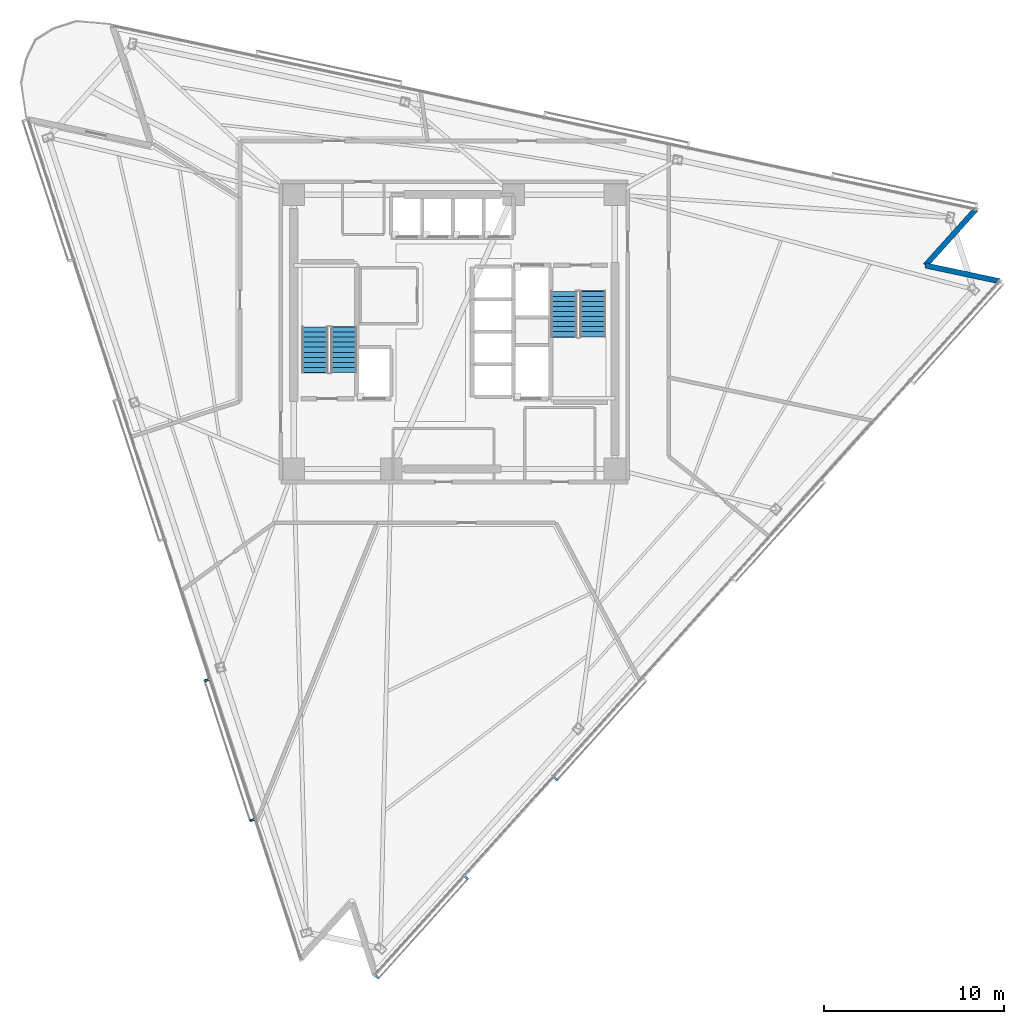
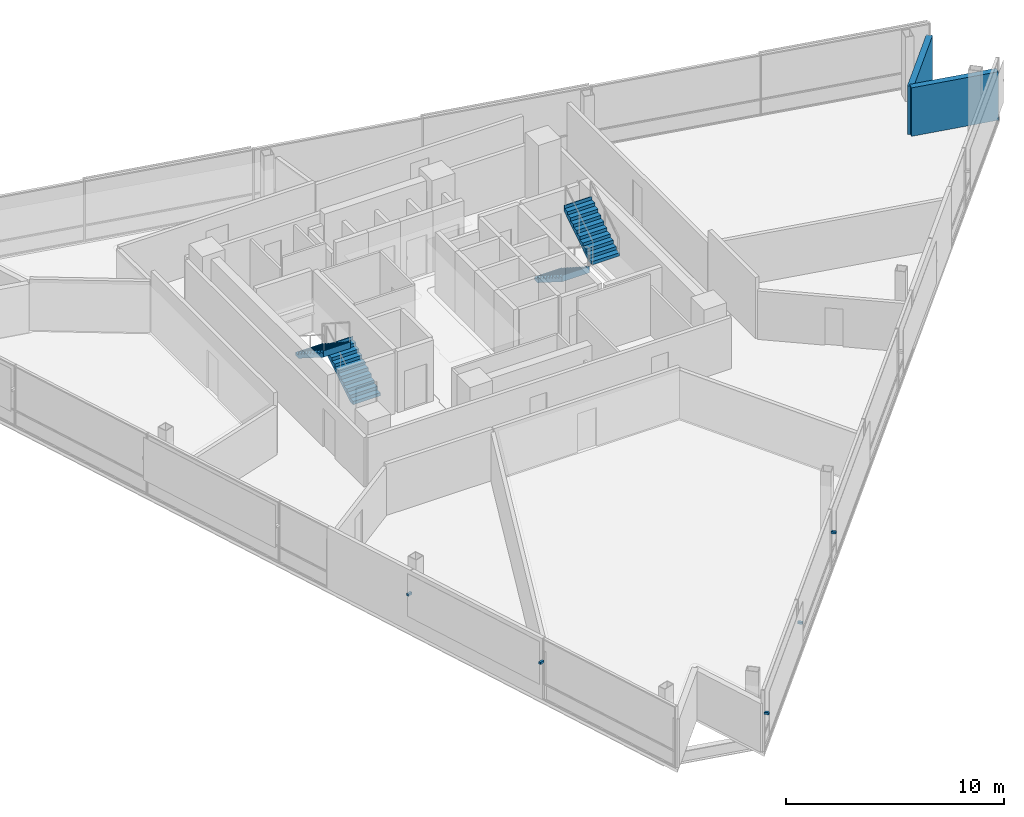
# One storey, part 12 of 17: 5 discrete accessories, 4 stair flights, 2 walls, 2 elements without a shape of their own.
"""IFC4 building model written with IfcOpenShell, lengths in metres."""

from ifc_helpers import new_model, si_unit, direction, frame, frame_2d, origin, origin_2d, place, context, subcontext, project, spatial, polyline, rectangle, outline, extrude, material, layer, layer_set, type_object, element, aggregate, save


model = new_model("IFC4")

# Units and contexts
model_context = context("Model", 3, precision=1e-05, world=origin(), true_north=direction((0.0, 1.0)))
body_context = subcontext(model_context, "Body", "Model", "MODEL_VIEW")
ifc_project = project(units=[si_unit("LENGTHUNIT", "METRE"), si_unit("AREAUNIT", "SQUARE_METRE"), si_unit("VOLUMEUNIT", "CUBIC_METRE"), si_unit("PLANEANGLEUNIT", "RADIAN"), si_unit("MASSUNIT", "GRAM", prefix="KILO")], contexts=[model_context])

# Site, building, storey
site_placement = place(None, origin())
site = spatial("IfcSite", under=ifc_project, at=site_placement, CompositionType="ELEMENT")
building_placement = place(site_placement, origin())
building = spatial("IfcBuilding", under=site, at=building_placement, Name="Tharavind Bronze Gate", CompositionType="ELEMENT")
storey_placement = place(building_placement, frame((0.0, 0.0, 200.449951171875)))
storey = spatial("IfcBuildingStorey", under=building, at=storey_placement, Name="L51", CompositionType="ELEMENT", Elevation=200.449951171875)

# Walls
ifc_material_1 = material(Name="Concrete C40/50", Category="concrete")
ifc_layer = layer(ifc_material_1, 0.300048828125)
ifc_layer_set = layer_set([ifc_layer], Name="Concrete C40/50")
wall_type = type_object("IfcWallType", Name="EXTERIOR SPANDREL WALL 300", PredefinedType="STANDARD", material=ifc_layer_set)
for number, where, z_axis, x_axis, name in (
    (1, (30.199462890625, 2.810546875, 0.0), (0.0, 0.0, 1.0), (-0.978144033538, 0.207928472445, 0.0), "L51 notch cheek wall 3A"),
    (2, (26.102783203125, 3.681396484375, 0.0), (0.0, 0.0, 1.0), (0.669151507466, 0.743126005504, 0.0), "L51 notch cheek wall 3B"),
):
    element("IfcWall", number, at=place(storey_placement, frame(where, z_axis=z_axis, x_axis=x_axis)), inside=storey, type_object=wall_type, Name=name, PredefinedType="STANDARD", context=body_context, shape_type="SweptSolid", body=[
        extrude(rectangle(XDim=4.188232421875, YDim=0.300048828125, at=frame_2d((2.09423828125, 0.0))), origin(), (0.0, 0.0, 1.0), 2.715087890625),
    ])

# Stair, stair flights
stair_type = type_object("IfcStairType", Name="CORE HALF TURN STAIR 1450", PredefinedType="HALF_TURN_STAIR", material=ifc_material_1)
stair_1_placement = place(storey_placement, origin())
stair_1 = element("IfcStair", 3, at=stair_1_placement, inside=storey, type_object=stair_type, Name="L51 Protected Exit Stair ST1", PredefinedType="HALF_TURN_STAIR")
stair_flight_type = type_object("IfcStairFlightType", Name="CORE STAIR FLIGHT 1450", PredefinedType="STRAIGHT", material=ifc_material_1)
stair_flight_1_placement = place(storey_placement, frame((-6.125, -2.25, 0.0), z_axis=(0.0, 0.0, 1.0), x_axis=(0.0, 1.0, 0.0)))
stair_flight_1 = element("IfcStairFlight", 4, at=stair_flight_1_placement, type_object=stair_flight_type, Name="ST1 flight 1", NumberOfRisers=10, NumberOfTreads=9, PredefinedType="STRAIGHT", RiserHeight=0.18, TreadLength=0.28, context=body_context, shape_type="SweptSolid", body=[
    extrude(outline(polyline([(0.0, 0.0), (0.0, 0.179931640625), (0.280029296875, 0.179931640625), (0.280029296875, 0.360107421875), (0.56005859375, 0.360107421875), (0.56005859375, 0.5400390625), (0.840087890625, 0.5400390625), (0.840087890625, 0.719970703125), (1.1201171875, 0.719970703125), (1.1201171875, 0.89990234375), (1.39990234375, 0.89990234375), (1.39990234375, 1.080078125), (1.679931640625, 1.080078125), (1.679931640625, 1.260009765625), (1.9599609375, 1.260009765625), (1.9599609375, 1.43994140625), (2.239990234375, 1.43994140625), (2.239990234375, 1.6201171875), (2.52001953125, 1.6201171875), (2.52001953125, 1.800048828125), (2.555908203125, 1.800048828125), (2.555908203125, 1.44189453125), (0.277099609375, 0.0), (0.0, 0.0)])), frame((0.0, 0.72509765625, 0.0), z_axis=(0.0, -1.0, 0.0), x_axis=(1.0, 0.0, 0.0)), (0.0, 0.0, 1.0), 1.449951171875),
])
stair_flight_2_placement = place(storey_placement, frame((-7.72509765625, 0.27001953125, 1.800048828125), z_axis=(0.0, 0.0, 1.0), x_axis=(0.0, -1.0, 0.0)))
stair_flight_2 = element("IfcStairFlight", 5, at=stair_flight_2_placement, type_object=stair_flight_type, Name="ST1 flight 2", NumberOfRisers=10, NumberOfTreads=9, PredefinedType="STRAIGHT", RiserHeight=0.18, TreadLength=0.28, context=body_context, shape_type="SweptSolid", body=[
    extrude(outline(polyline([(0.0, 0.0), (0.0, 0.179931640625), (0.280029296875, 0.179931640625), (0.280029296875, 0.360107421875), (0.56005859375, 0.360107421875), (0.56005859375, 0.5400390625), (0.840087890625, 0.5400390625), (0.840087890625, 0.719970703125), (1.1201171875, 0.719970703125), (1.1201171875, 0.89990234375), (1.39990234375, 0.89990234375), (1.39990234375, 1.080078125), (1.679931640625, 1.080078125), (1.679931640625, 1.260009765625), (1.9599609375, 1.260009765625), (1.9599609375, 1.43994140625), (2.239990234375, 1.43994140625), (2.239990234375, 1.6201171875), (2.52001953125, 1.6201171875), (2.52001953125, 1.800048828125), (2.555908203125, 1.800048828125), (2.555908203125, 1.44189453125), (0.277099609375, 0.0), (0.0, 0.0)])), frame((0.0, 0.72509765625, 0.0), z_axis=(0.0, -1.0, 0.0), x_axis=(1.0, 0.0, 0.0)), (0.0, 0.0, 1.0), 1.449951171875),
])
aggregate(stair_1, [stair_flight_1, stair_flight_2])

stair_2_placement = place(storey_placement, origin())
stair_2 = element("IfcStair", 6, at=stair_2_placement, inside=storey, type_object=stair_type, Name="L51 Protected Exit Stair ST2", PredefinedType="HALF_TURN_STAIR")
stair_flight_3_placement = place(storey_placement, frame((6.074951171875, 2.25, 0.0), z_axis=(0.0, 0.0, 1.0), x_axis=(0.0, -1.0, 0.0)))
stair_flight_3 = element("IfcStairFlight", 7, at=stair_flight_3_placement, type_object=stair_flight_type, Name="ST2 flight 1", NumberOfRisers=10, NumberOfTreads=9, PredefinedType="STRAIGHT", RiserHeight=0.18, TreadLength=0.28, context=body_context, shape_type="SweptSolid", body=[
    extrude(outline(polyline([(0.0, 0.0), (0.0, 0.179931640625), (0.280029296875, 0.179931640625), (0.280029296875, 0.360107421875), (0.56005859375, 0.360107421875), (0.56005859375, 0.5400390625), (0.840087890625, 0.5400390625), (0.840087890625, 0.719970703125), (1.1201171875, 0.719970703125), (1.1201171875, 0.89990234375), (1.39990234375, 0.89990234375), (1.39990234375, 1.080078125), (1.679931640625, 1.080078125), (1.679931640625, 1.260009765625), (1.9599609375, 1.260009765625), (1.9599609375, 1.43994140625), (2.239990234375, 1.43994140625), (2.239990234375, 1.6201171875), (2.52001953125, 1.6201171875), (2.52001953125, 1.800048828125), (2.555908203125, 1.800048828125), (2.555908203125, 1.44189453125), (0.277099609375, 0.0), (0.0, 0.0)])), frame((0.0, 0.72509765625, 0.0), z_axis=(0.0, -1.0, 0.0), x_axis=(1.0, 0.0, 0.0)), (0.0, 0.0, 1.0), 1.449951171875),
])
stair_flight_4_placement = place(storey_placement, frame((7.675048828125, -0.27001953125, 1.800048828125), z_axis=(0.0, 0.0, 1.0), x_axis=(0.0, 1.0, 0.0)))
stair_flight_4 = element("IfcStairFlight", 8, at=stair_flight_4_placement, type_object=stair_flight_type, Name="ST2 flight 2", NumberOfRisers=10, NumberOfTreads=9, PredefinedType="STRAIGHT", RiserHeight=0.18, TreadLength=0.28, context=body_context, shape_type="SweptSolid", body=[
    extrude(outline(polyline([(0.0, 0.0), (0.0, 0.179931640625), (0.280029296875, 0.179931640625), (0.280029296875, 0.360107421875), (0.56005859375, 0.360107421875), (0.56005859375, 0.5400390625), (0.840087890625, 0.5400390625), (0.840087890625, 0.719970703125), (1.1201171875, 0.719970703125), (1.1201171875, 0.89990234375), (1.39990234375, 0.89990234375), (1.39990234375, 1.080078125), (1.679931640625, 1.080078125), (1.679931640625, 1.260009765625), (1.9599609375, 1.260009765625), (1.9599609375, 1.43994140625), (2.239990234375, 1.43994140625), (2.239990234375, 1.6201171875), (2.52001953125, 1.6201171875), (2.52001953125, 1.800048828125), (2.555908203125, 1.800048828125), (2.555908203125, 1.44189453125), (0.277099609375, 0.0), (0.0, 0.0)])), frame((0.0, 0.72509765625, 0.0), z_axis=(0.0, -1.0, 0.0), x_axis=(1.0, 0.0, 0.0)), (0.0, 0.0, 1.0), 1.449951171875),
])
aggregate(stair_2, [stair_flight_3, stair_flight_4])

# Discrete accessories
ifc_material_2 = material(Name="Stainless Steel 316", Category="steel")
discrete_accessory_type = type_object("IfcDiscreteAccessoryType", Name="SOLAR SCREEN STANDOFF BRACKET", PredefinedType="BRACKET", material=ifc_material_2)
for number, where, z_axis, x_axis, name in (
    (9, (-13.720458984375, -19.30126953125, 2.10009765625), (0.0, 0.0, 1.0), (0.309016994375, -0.951056516295, 0.0), "CW-L51-S1 solar screen bracket 5.1"),
    (10, (-11.2001953125, -27.057861328125, 2.10009765625), (0.0, 0.0, 1.0), (0.309016994375, -0.951056516295, 0.0), "CW-L51-S1 solar screen bracket 5.2"),
    (11, (-4.2783203125, -35.75, 2.10009765625), (0.0, 0.0, 1.0), (0.669130606359, 0.743144825477, 0.0), "CW-L51-S2 solar screen bracket 1.1"),
    (12, (0.666015625, -30.258544921875, 2.10009765625), (0.0, 0.0, 1.0), (0.669130606359, 0.743144825477, 0.0), "CW-L51-S2 solar screen bracket 1.2"),
    (13, (5.610595703125, -24.76708984375, 2.10009765625), (0.0, 0.0, 1.0), (0.669130606359, 0.743144825477, 0.0), "CW-L51-S2 solar screen bracket 3.1"),
):
    element("IfcDiscreteAccessory", number, at=place(storey_placement, frame(where, z_axis=z_axis, x_axis=x_axis)), inside=storey, type_object=discrete_accessory_type, Name=name, PredefinedType="BRACKET", context=body_context, shape_type="SweptSolid", body=[
        extrude(rectangle(XDim=0.1201171875, YDim=0.239990234375, at=origin_2d()), origin(), (0.0, 0.0, 1.0), 0.1201171875),
    ])

save(model, "model.ifc")
